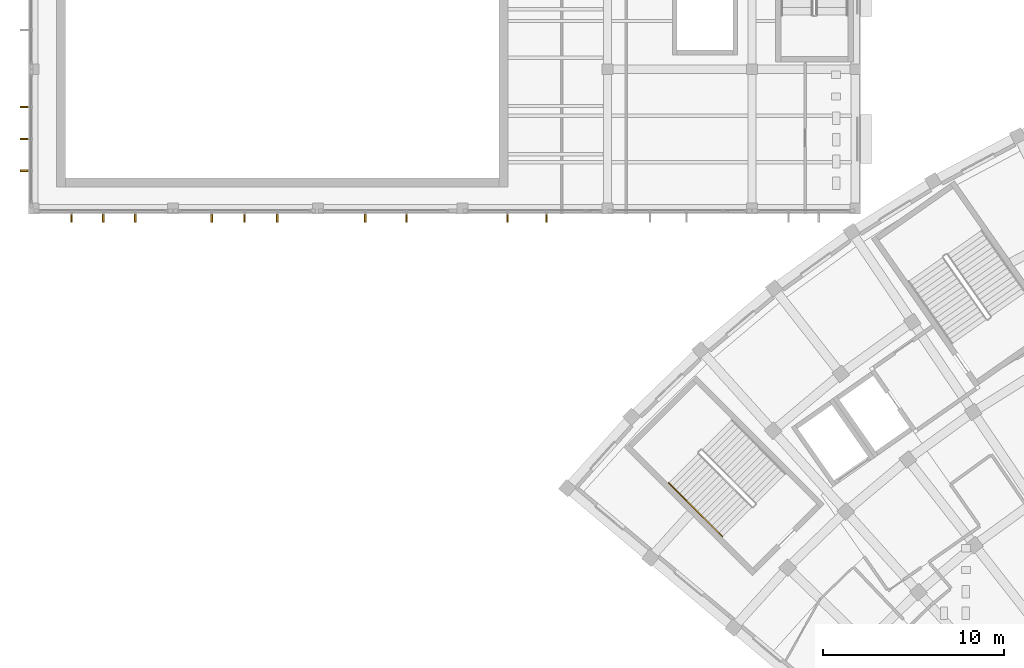
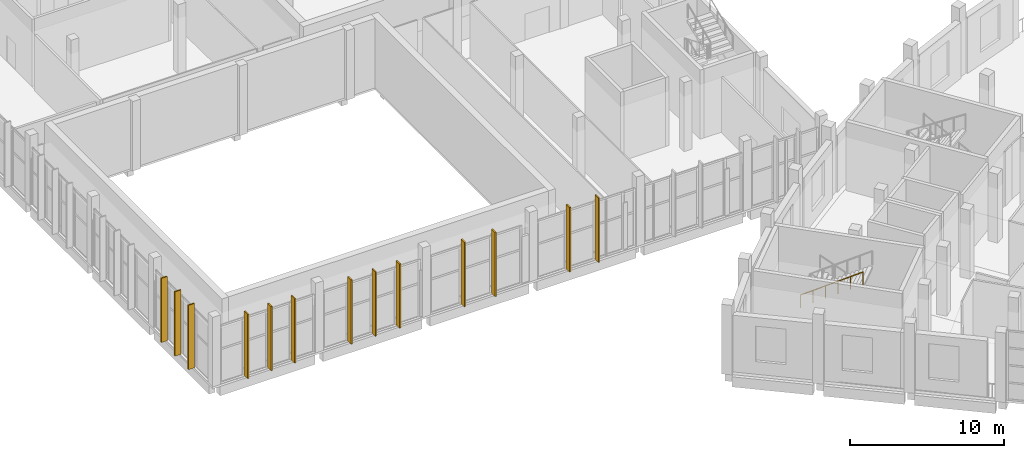
# One storey, part 78 of 112: 13 shading devices, 1 railing.
"""IFC4 building model written with IfcOpenShell, lengths in metres."""

from ifc_helpers import new_model, si_unit, direction, frame, origin, origin_2d, place, context, subcontext, project, spatial, rectangle, circle, extrude, material, type_object, element, save


model = new_model("IFC4")

# Units and contexts
model_context = context("Model", 3, precision=1e-05, world=origin(), true_north=direction((0.0, 1.0)))
body_context = subcontext(model_context, "Body", "Model", "MODEL_VIEW")
ifc_project = project(units=[si_unit("LENGTHUNIT", "METRE"), si_unit("AREAUNIT", "SQUARE_METRE"), si_unit("VOLUMEUNIT", "CUBIC_METRE"), si_unit("PLANEANGLEUNIT", "RADIAN"), si_unit("MASSUNIT", "GRAM", prefix="KILO")], contexts=[model_context])

# Site, building, storey
site_placement = place(None, origin())
site = spatial("IfcSite", under=ifc_project, at=site_placement, CompositionType="ELEMENT")
building_placement = place(site_placement, origin())
building = spatial("IfcBuilding", under=site, at=building_placement, Name="Lunette Opera House", CompositionType="ELEMENT")
storey_placement = place(building_placement, frame((0.0, 0.0, 6.0)))
storey = spatial("IfcBuildingStorey", under=building, at=storey_placement, Name="L01", CompositionType="ELEMENT", Elevation=6.0)

# Shading devices
ifc_material_1 = material(Name="Powder-coated aluminium", Category="aluminium")
shading_device_type = type_object("IfcShadingDeviceType", Name="SOLAR FIN 100 X 450", PredefinedType="USERDEFINED", material=ifc_material_1)
for number, where, z_axis, x_axis, name in (
    (1, (7.76708984375, 69.909912109375, 0.114501953125), (0.0, 0.0, 1.0), (-1.0, 0.0, 0.0), "Solar fin RW-X2020 1"),
    (2, (7.76708984375, 68.14990234375, 0.114501953125), (0.0, 0.0, 1.0), (-1.0, 0.0, 0.0), "Solar fin RW-X2020 2"),
    (3, (7.76708984375, 66.389892578125, 0.114501953125), (0.0, 0.0, 1.0), (-1.0, 0.0, 0.0), "Solar fin RW-X2020 3"),
    (4, (10.389892578125, 63.76806640625, 0.114501953125), (0.0, 0.0, 1.0), (0.0, -1.0, 0.0), "Solar fin RW-X2021 1"),
    (5, (12.14990234375, 63.76806640625, 0.114501953125), (0.0, 0.0, 1.0), (0.0, -1.0, 0.0), "Solar fin RW-X2021 2"),
    (6, (13.909912109375, 63.76806640625, 0.114501953125), (0.0, 0.0, 1.0), (0.0, -1.0, 0.0), "Solar fin RW-X2021 3"),
    (7, (18.14208984375, 63.76806640625, 0.114501953125), (0.0, 0.0, 1.0), (0.0, -1.0, 0.0), "Solar fin RW-X2022 1"),
    (8, (19.952880859375, 63.76806640625, 0.114501953125), (0.0, 0.0, 1.0), (0.0, -1.0, 0.0), "Solar fin RW-X2022 2"),
    (9, (21.764892578125, 63.76806640625, 0.114501953125), (0.0, 0.0, 1.0), (0.0, -1.0, 0.0), "Solar fin RW-X2022 3"),
    (10, (26.614013671875, 63.76806640625, 0.114501953125), (0.0, 0.0, 1.0), (0.0, -1.0, 0.0), "Solar fin RW-X2023 1"),
    (11, (28.89892578125, 63.76806640625, 0.114501953125), (0.0, 0.0, 1.0), (0.0, -1.0, 0.0), "Solar fin RW-X2023 2"),
    (12, (34.48291015625, 63.76806640625, 0.114501953125), (0.0, 0.0, 1.0), (0.0, -1.0, 0.0), "Solar fin RW-X2024 1"),
    (13, (36.635009765625, 63.76806640625, 0.114501953125), (0.0, 0.0, 1.0), (0.0, -1.0, 0.0), "Solar fin RW-X2024 2"),
):
    element("IfcShadingDevice", number, at=place(storey_placement, frame(where, z_axis=z_axis, x_axis=x_axis)), inside=storey, type_object=shading_device_type, Name=name, ObjectType="SOLAR FIN", PredefinedType="USERDEFINED", context=body_context, shape_type="SweptSolid", body=[
        extrude(rectangle(XDim=0.449951171875, YDim=0.10009765625, at=origin_2d()), origin(), (0.0, 0.0, 1.0), 5.0849609375),
    ])

# Railing
ifc_material_2 = material(Name="Steel S355", Category="steel")
railing_type = type_object("IfcRailingType", Name="STAIR HANDRAIL 1000", PredefinedType="HANDRAIL", material=ifc_material_2)
railing_placement = place(storey_placement, frame((43.391357421875, 49.1435546875, 2.921875)))
element("IfcRailing", 14, at=railing_placement, inside=storey, type_object=railing_type, Name="L01 ST1 stair handrail 2", PredefinedType="HANDRAIL", context=body_context, shape_type="SweptSolid", body=[
    extrude(circle(Radius=0.02392578125, at=origin_2d()), frame((0.0, 0.0, 0.97607421875), z_axis=(0.602635448971, -0.602635448971, 0.523126209711), x_axis=(0.707106781187, 0.707106781187, 0.0)), (0.0, 0.0, 1.0), 4.92822265625),
    extrude(circle(Radius=0.02099609375, at=origin_2d()), origin(), (0.0, 0.0, 1.0), 0.951904296875),
    extrude(circle(Radius=0.02099609375, at=origin_2d()), frame((0.593994140625, -0.593994140625, 0.515625)), (0.0, 0.0, 1.0), 0.951904296875),
    extrude(circle(Radius=0.02099609375, at=origin_2d()), frame((1.18798828125, -1.18798828125, 1.03125)), (0.0, 0.0, 1.0), 0.951904296875),
    extrude(circle(Radius=0.02099609375, at=origin_2d()), frame((1.781982421875, -1.781982421875, 1.546875)), (0.0, 0.0, 1.0), 0.951904296875),
    extrude(circle(Radius=0.02099609375, at=origin_2d()), frame((2.3759765625, -2.3759765625, 2.0625)), (0.0, 0.0, 1.0), 0.951904296875),
    extrude(circle(Radius=0.02099609375, at=origin_2d()), frame((2.969970703125, -2.969970703125, 2.578125)), (0.0, 0.0, 1.0), 0.951904296875),
])

save(model, "model.ifc")
